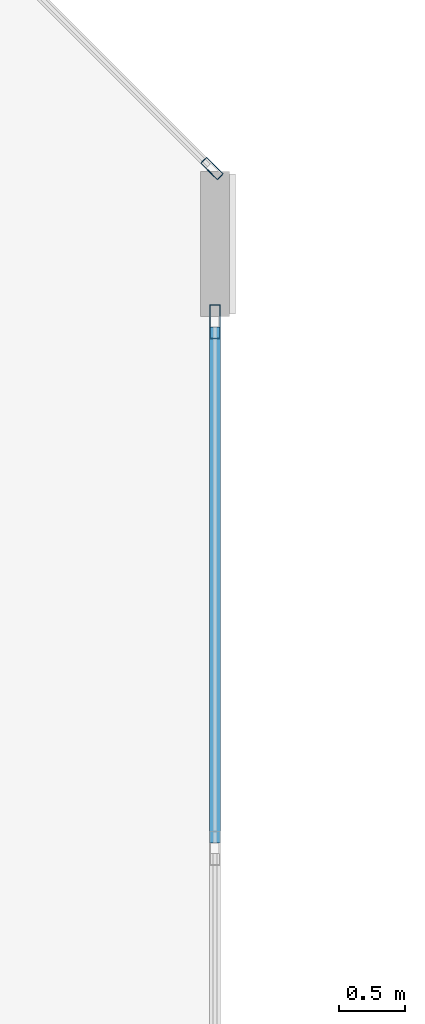
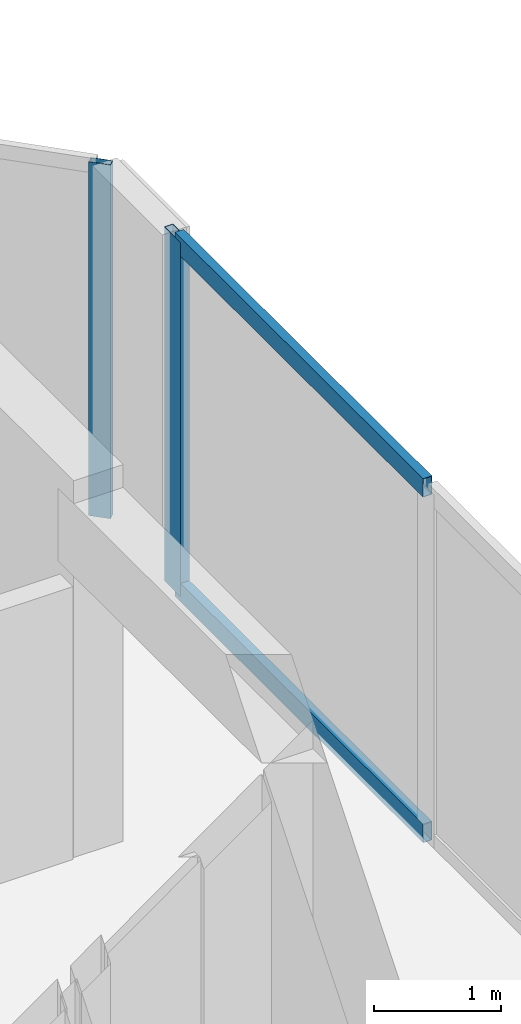
# One storey, part 8 of 30: 4 members, 2 elements without a shape of their own.
"""IFC4 building model written with IfcOpenShell, lengths in metres."""

import ifcopenshell
import ifcopenshell.guid

model = None  # the IFC model being written
_history = None  # IfcOwnerHistory: only IFC2X3 demands one
_inside = {}  # id of a spatial element -> (the spatial element, [elements in it])
_under = {}  # id of a project, library or spatial element -> (it, [spatial elements below it])
_declared = {}  # id of a project -> (the project, [libraries it declares])
_typed = {}  # id of a type object -> (the type object, [elements of that type])
_made_of = {}  # id of a material, layer set ... -> (it, [elements and type objects made of it])


def new_model(schema):
    """Start an empty IFC model of exactly this schema.

    Asked for "IFC4X3", IfcOpenShell would pick the latest addendum, in which some entities
    have other attributes; the version numbers below select the first issue.
    IFC2X3 requires an IfcOwnerHistory on every rooted entity: one is made here for all.
    """
    global model, _history
    if schema == "IFC4X3":
        model = ifcopenshell.file(schema_version=(4, 3, 0, 0))
    else:
        model = ifcopenshell.file(schema=schema)
    _inside.clear()
    _under.clear()
    _declared.clear()
    _typed.clear()
    _made_of.clear()
    _history = None
    if model.schema == "IFC2X3":
        org = make("IfcOrganization", Name="unknown")
        user = make(
            "IfcPersonAndOrganization",
            ThePerson=make("IfcPerson", FamilyName="unknown"),
            TheOrganization=org,
        )
        app = make(
            "IfcApplication",
            ApplicationDeveloper=org,
            Version="unknown",
            ApplicationFullName="unknown",
            ApplicationIdentifier="unknown",
        )
        _history = make(
            "IfcOwnerHistory",
            OwningUser=user,
            OwningApplication=app,
            ChangeAction="ADDED",
            CreationDate=0,
        )
    return model


def make(cls, **values):
    """One entity of the class cls with the attributes given. An attribute that is None is left unset."""
    return model.create_entity(
        cls, **{name: value for name, value in values.items() if value is not None}
    )


def rooted(cls, **values):
    """An entity with a GlobalId (a new one), such as an element, a storey or a relation."""
    return make(cls, GlobalId=ifcopenshell.guid.new(), OwnerHistory=_history, **values)


def si_unit(unit_type, name, prefix=None):
    """IfcSIUnit, for example si_unit("LENGTHUNIT", "METRE", prefix="MILLI")."""
    return make("IfcSIUnit", UnitType=unit_type, Prefix=prefix, Name=name)


def assignment(units):
    """IfcUnitAssignment: the units of a project."""
    return None if units is None else make("IfcUnitAssignment", Units=units)


def point(xyz):
    """IfcCartesianPoint."""
    return None if xyz is None else make("IfcCartesianPoint", Coordinates=xyz)


def direction(xyz):
    """IfcDirection."""
    return None if xyz is None else make("IfcDirection", DirectionRatios=xyz)


def frame(location, z_axis=None, x_axis=None):
    """IfcAxis2Placement3D, a coordinate frame: its origin and axes. An axis left out is left unset."""
    return make(
        "IfcAxis2Placement3D",
        Location=point(location),
        Axis=direction(z_axis),
        RefDirection=direction(x_axis),
    )


def frame_2d(location, x_axis=None):
    """IfcAxis2Placement2D, a coordinate frame in the plane: its origin and x axis."""
    return make(
        "IfcAxis2Placement2D", Location=point(location), RefDirection=direction(x_axis)
    )


def origin():
    """The frame at (0, 0, 0) with its axes left unset."""
    return frame((0.0, 0.0, 0.0))


def origin_2d():
    """The frame at (0, 0) in the plane with its x axis left unset."""
    return frame_2d((0.0, 0.0))


def place(relative_to, where):
    """IfcLocalPlacement: puts the frame where relative to a parent placement (None: the world)."""
    return make(
        "IfcLocalPlacement", PlacementRelTo=relative_to, RelativePlacement=where
    )


def context(
    kind, dimensions, precision=None, world=None, true_north=None, identifier=None
):
    """IfcGeometricRepresentationContext, for example the 3D "Model" context."""
    return make(
        "IfcGeometricRepresentationContext",
        ContextIdentifier=identifier,
        ContextType=kind,
        CoordinateSpaceDimension=dimensions,
        Precision=precision,
        WorldCoordinateSystem=world,
        TrueNorth=true_north,
    )


def subcontext(parent, identifier, kind, view, scale=None):
    """IfcGeometricRepresentationSubContext, for example "Body" below "Model"."""
    return make(
        "IfcGeometricRepresentationSubContext",
        ContextIdentifier=identifier,
        ContextType=kind,
        ParentContext=parent,
        TargetScale=scale,
        TargetView=view,
    )


def project(units=None, contexts=None):
    """IfcProject with its units and contexts."""
    return rooted(
        "IfcProject",
        Name="project",
        RepresentationContexts=contexts,
        UnitsInContext=assignment(units),
    )


def spatial(cls, under=None, at=None, **own):
    """A site, building, storey or space (cls), placed at a placement, below another one or the project."""
    s = rooted(cls, ObjectPlacement=at, **own)
    if under is not None:
        _under.setdefault(under.id(), (under, []))[1].append(s)
    return s


def profile(cls, at=None, kind="AREA", **sizes):
    """A parametric profile (cls). Its sizes go by their IFC names, for example OverallWidth=200.0."""
    return make(cls, ProfileType=kind, Position=at, **sizes)


def hollow_rectangle(**sizes):
    """IfcRectangleHollowProfileDef."""
    return profile("IfcRectangleHollowProfileDef", **sizes)


def extrude(swept, where, along, depth):
    """IfcExtrudedAreaSolid: the profile swept, set in the frame where, extruded along a direction by depth."""
    return make(
        "IfcExtrudedAreaSolid",
        SweptArea=swept,
        Position=where,
        ExtrudedDirection=direction(along),
        Depth=depth,
    )


def shape(context_of_items, identifier, shape_type, items):
    """IfcShapeRepresentation: the items that make up one representation, for example the "Body"."""
    return make(
        "IfcShapeRepresentation",
        ContextOfItems=context_of_items,
        RepresentationIdentifier=identifier,
        RepresentationType=shape_type,
        Items=items,
    )


def material(Name=None, Category=None):
    """IfcMaterial."""
    return make("IfcMaterial", Name=Name, Category=Category)


def layer(
    of_material, thickness, ventilated=None, Name=None, Category=None, Priority=None
):
    """IfcMaterialLayer: one layer of a wall or slab, of a material (None: an air gap)."""
    return make(
        "IfcMaterialLayer",
        Material=of_material,
        LayerThickness=thickness,
        IsVentilated=ventilated,
        Name=Name,
        Category=Category,
        Priority=Priority,
    )


def layer_set(layers, Name=None):
    """IfcMaterialLayerSet."""
    return make("IfcMaterialLayerSet", MaterialLayers=layers, LayerSetName=Name)


def material_profile(
    of_material, cross_section, Name=None, Category=None, Priority=None
):
    """IfcMaterialProfile: a cross section and its material."""
    return make(
        "IfcMaterialProfile",
        Name=Name,
        Material=of_material,
        Profile=cross_section,
        Priority=Priority,
        Category=Category,
    )


def profile_set(profiles, Name=None, composite=None):
    """IfcMaterialProfileSet."""
    return make(
        "IfcMaterialProfileSet",
        Name=Name,
        MaterialProfiles=profiles,
        CompositeProfile=composite,
    )


def made_of(thing, what):
    """Note that an element or type object is made of a material, layer set ...; save() writes the relation."""
    if what is not None:
        _made_of.setdefault(what.id(), (what, []))[1].append(thing)
    return thing


def type_object(cls, material=None, **own):
    """A type object (cls), such as IfcWallType, which elements share."""
    return made_of(rooted(cls, **own), material)


def element(
    cls,
    number,
    at=None,
    inside=None,
    cuts=None,
    type_object=None,
    material=None,
    context=None,
    identifier="Body",
    shape_type=None,
    held_by="IfcProductDefinitionShape",
    body=None,
    shapes=None,
    **own,
):
    """One element of the class cls, such as IfcWall. Its Tag is "e" and its number.

    at: its placement. inside: the storey or other place that contains it. cuts: it is an
    opening in that element (IfcRelVoidsElement). A single representation is given by context,
    identifier, shape_type and body (its items); several are given by shapes. held_by: the class
    of the entity that holds the representations. save() writes the other relations.
    """
    e = rooted(cls, Tag="e%d" % number, ObjectPlacement=at, **own)
    if body is not None:
        shapes = [shape(context, identifier, shape_type, body)]
    if shapes is not None:
        e.Representation = make(held_by, Representations=shapes)
    if inside is not None:
        _inside.setdefault(inside.id(), (inside, []))[1].append(e)
    if cuts is not None:
        rooted(
            "IfcRelVoidsElement", RelatingBuildingElement=cuts, RelatedOpeningElement=e
        )
    if type_object is not None:
        _typed.setdefault(type_object.id(), (type_object, []))[1].append(e)
    return made_of(e, material)


def aggregate(whole, parts):
    """IfcRelAggregates: a whole, such as a stair, and the parts it consists of."""
    return rooted("IfcRelAggregates", RelatingObject=whole, RelatedObjects=parts)


def save(model, path):
    """Write the relations noted so far, then the file.

    IfcRelAggregates (storeys below a building ...), IfcRelContainedInSpatialStructure (elements
    in a storey), IfcRelDefinesByType, IfcRelAssociatesMaterial and IfcRelDeclares: one each for
    every whole, place, type object, material and project.
    """
    for whole, parts in _under.values():
        aggregate(whole, parts)
    for where, things in _inside.values():
        rooted(
            "IfcRelContainedInSpatialStructure",
            RelatedElements=things,
            RelatingStructure=where,
        )
    for kind, things in _typed.values():
        rooted("IfcRelDefinesByType", RelatedObjects=things, RelatingType=kind)
    for what, things in _made_of.values():
        rooted("IfcRelAssociatesMaterial", RelatedObjects=things, RelatingMaterial=what)
    for by, libraries in _declared.values():
        rooted("IfcRelDeclares", RelatingContext=by, RelatedDefinitions=libraries)
    model.write(path)


model = new_model("IFC4")

# Units and contexts
model_context = context("Model", 3, precision=1e-05, world=origin(), true_north=direction((0.0, 1.0)))
body_context = subcontext(model_context, "Body", "Model", "MODEL_VIEW")
ifc_project = project(units=[si_unit("LENGTHUNIT", "METRE"), si_unit("AREAUNIT", "SQUARE_METRE"), si_unit("VOLUMEUNIT", "CUBIC_METRE"), si_unit("PLANEANGLEUNIT", "RADIAN"), si_unit("MASSUNIT", "GRAM", prefix="KILO")], contexts=[model_context])

# Site, building, storey
site_placement = place(None, origin())
site = spatial("IfcSite", under=ifc_project, at=site_placement, CompositionType="ELEMENT")
building_placement = place(site_placement, origin())
building = spatial("IfcBuilding", under=site, at=building_placement, Name="Tanjung Sevakor Pilgrim Tower", CompositionType="ELEMENT")
storey_placement = place(building_placement, frame((0.0, 0.0, 253.43994140625)))
storey = spatial("IfcBuildingStorey", under=building, at=storey_placement, Name="L71", CompositionType="ELEMENT", Elevation=253.43994140625)

# Curtain wall, member
ifc_material_1 = material(Name="Aluminium 6063-T6 and Low-E Glass", Category="aluminium")
ifc_layer_1 = layer(ifc_material_1, 0.179931640625)
ifc_layer_set_1 = layer_set([ifc_layer_1], Name="CW-SYS-CHAM")
curtain_wall_type_1 = type_object("IfcCurtainWallType", Name="CW-SYS-CHAM", PredefinedType="NOTDEFINED", material=ifc_layer_set_1)
curtain_wall_1_placement = place(storey_placement, origin())
curtain_wall_1 = element("IfcCurtainWall", 1, at=curtain_wall_1_placement, inside=storey, type_object=curtain_wall_type_1, Name="L71 Curtain Wall CW-CHM-L71-WEST-3", PredefinedType="NOTDEFINED")
ifc_material_2 = material(Name="Aluminium 6063-T6", Category="aluminium")
ifc_material_profile_1 = material_profile(ifc_material_2, hollow_rectangle(XDim=0.06494140625, YDim=0.179931640625, WallThickness=0.00390625, at=origin_2d()))
ifc_profile_set_1 = profile_set([ifc_material_profile_1], Name="Aluminium 6063-T6")
member_type_1 = type_object("IfcMemberType", Name="TYPE-CWM-1", PredefinedType="MULLION", material=ifc_profile_set_1)
member_1_placement = place(storey_placement, frame((38.317138671875, 40.77734375, 0.0), z_axis=(0.0, 0.0, 1.0), x_axis=(-0.707106781187, -0.707106781187, 0.0)))
member_1 = element("IfcMember", 2, at=member_1_placement, type_object=member_type_1, Name="CW-CHM mullion 1", PredefinedType="MULLION", context=body_context, shape_type="SweptSolid", body=[
    extrude(hollow_rectangle(XDim=0.06494140625, YDim=0.179931640625, WallThickness=0.00390625, at=origin_2d()), origin(), (0.0, 0.0, 1.0), 3.41015625),
])
aggregate(curtain_wall_1, [member_1])

# Curtain wall, members
ifc_material_3 = material(Name="Aluminium 6063-T6 and Low-E Glass", Category="aluminium")
ifc_layer_2 = layer(ifc_material_3, 0.199951171875)
ifc_layer_set_2 = layer_set([ifc_layer_2], Name="CW-SYS-CRNW")
curtain_wall_type_2 = type_object("IfcCurtainWallType", Name="CW-SYS-CRNW", PredefinedType="NOTDEFINED", material=ifc_layer_set_2)
curtain_wall_2_placement = place(storey_placement, origin())
curtain_wall_2 = element("IfcCurtainWall", 3, at=curtain_wall_2_placement, inside=storey, type_object=curtain_wall_type_2, Name="L71 Curtain Wall CW-CRN-L71-WEST-2-1", PredefinedType="NOTDEFINED")
ifc_material_4 = material(Name="Aluminium 6063-T6", Category="aluminium")
ifc_material_profile_2 = material_profile(ifc_material_4, hollow_rectangle(XDim=0.080078125, YDim=0.260009765625, WallThickness=0.0048828125, at=origin_2d()))
ifc_profile_set_2 = profile_set([ifc_material_profile_2], Name="Aluminium 6063-T6")
member_type_2 = type_object("IfcMemberType", Name="TYPE-CWM-3", PredefinedType="MULLION", material=ifc_profile_set_2)
member_2_placement = place(storey_placement, frame((38.340087890625, 39.614501953125, 0.0), z_axis=(0.0, 0.0, 1.0), x_axis=(-1.0, 0.0, 0.0)))
member_2 = element("IfcMember", 4, at=member_2_placement, type_object=member_type_2, Name="CW-CRW mullion 4", PredefinedType="MULLION", context=body_context, shape_type="SweptSolid", body=[
    extrude(hollow_rectangle(XDim=0.080078125, YDim=0.260009765625, WallThickness=0.0048828125, at=origin_2d()), origin(), (0.0, 0.0, 1.0), 3.41015625),
])
ifc_material_5 = material(Name="Aluminium 6063-T6", Category="aluminium")
ifc_material_profile_3 = material_profile(ifc_material_5, hollow_rectangle(XDim=0.080078125, YDim=0.179931640625, WallThickness=0.0048828125, at=origin_2d()))
ifc_profile_set_3 = profile_set([ifc_material_profile_3], Name="Aluminium 6063-T6")
member_type_3 = type_object("IfcMemberType", Name="TYPE-CWT-3", PredefinedType="USERDEFINED", material=ifc_profile_set_3)
member_3_placement = place(storey_placement, frame((38.340087890625, 35.658203125, 0.0400390625), z_axis=(0.0, 1.0, 0.0), x_axis=(-1.0, 0.0, 0.0)))
member_3 = element("IfcMember", 5, at=member_3_placement, type_object=member_type_3, Name="CW-CRW transom 3.1", ObjectType="TRANSOM", PredefinedType="USERDEFINED", context=body_context, shape_type="SweptSolid", body=[
    extrude(hollow_rectangle(XDim=0.080078125, YDim=0.179931640625, WallThickness=0.0048828125, at=origin_2d()), origin(), (0.0, 0.0, 1.0), 3.916259765625),
])
member_4_placement = place(storey_placement, frame((38.340087890625, 35.658203125, 3.3701171875), z_axis=(0.0, 1.0, 0.0), x_axis=(-1.0, 0.0, 0.0)))
member_4 = element("IfcMember", 6, at=member_4_placement, type_object=member_type_3, Name="CW-CRW transom 3.2", ObjectType="TRANSOM", PredefinedType="USERDEFINED", context=body_context, shape_type="SweptSolid", body=[
    extrude(hollow_rectangle(XDim=0.080078125, YDim=0.179931640625, WallThickness=0.0048828125, at=origin_2d()), origin(), (0.0, 0.0, 1.0), 3.916259765625),
])
aggregate(curtain_wall_2, [member_2, member_3, member_4])

save(model, "model.ifc")
